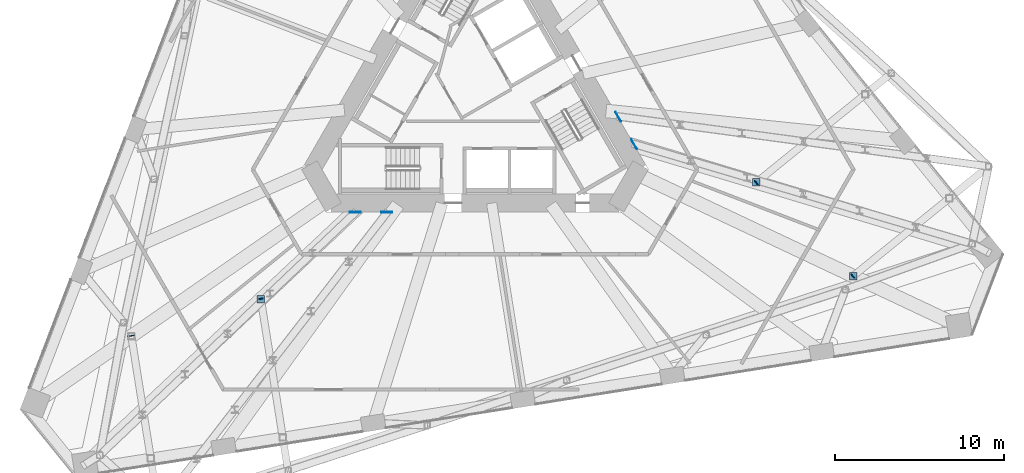
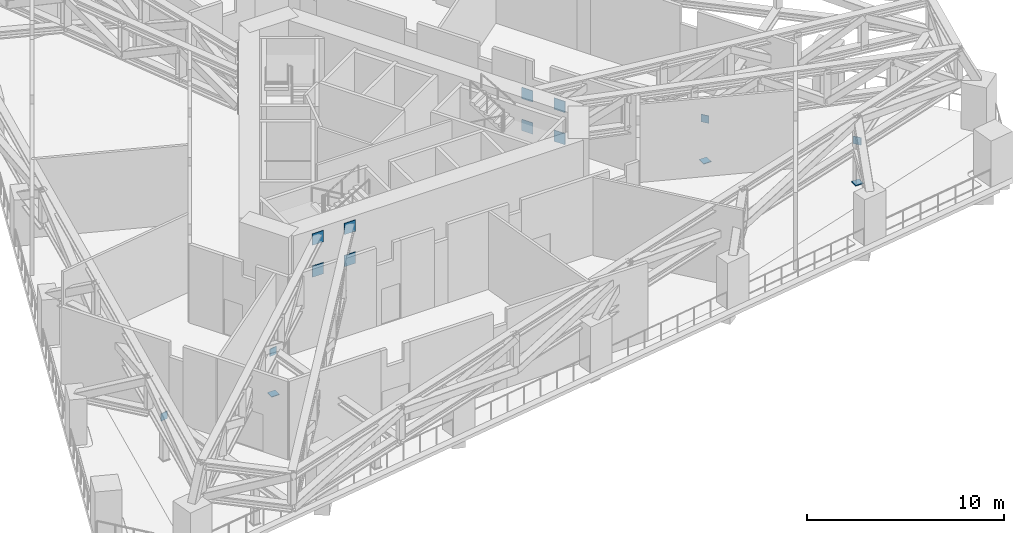
# One storey, part 14 of 20: 15 discrete accessories.
"""IFC4 building model written with IfcOpenShell, lengths in metres."""

from ifc_helpers import new_model, si_unit, direction, frame, origin, origin_2d, place, context, subcontext, project, spatial, rectangle, extrude, material, layer, layer_set, type_object, element, save


model = new_model("IFC4")

# Units and contexts
model_context = context("Model", 3, precision=1e-05, world=origin(), true_north=direction((0.0, 1.0)))
body_context = subcontext(model_context, "Body", "Model", "MODEL_VIEW")
ifc_project = project(units=[si_unit("LENGTHUNIT", "METRE"), si_unit("AREAUNIT", "SQUARE_METRE"), si_unit("VOLUMEUNIT", "CUBIC_METRE"), si_unit("PLANEANGLEUNIT", "RADIAN"), si_unit("MASSUNIT", "GRAM", prefix="KILO")], contexts=[model_context])

# Site, building, storey
site_placement = place(None, origin())
site = spatial("IfcSite", under=ifc_project, at=site_placement, CompositionType="ELEMENT")
building_placement = place(site_placement, origin())
building = spatial("IfcBuilding", under=site, at=building_placement, Name="Tramontana Tower", CompositionType="ELEMENT")
storey_placement = place(building_placement, frame((0.0, 0.0, 83.199951171875)))
storey = spatial("IfcBuildingStorey", under=building, at=storey_placement, Name="L18", CompositionType="ELEMENT", Elevation=83.199951171875)

# Discrete accessories
ifc_material_1 = material(Name="Steel ASTM A572 Grade 50", Category="steel")
ifc_layer_1 = layer(ifc_material_1, 0.0400390625)
ifc_layer_set_1 = layer_set([ifc_layer_1], Name="Base plate 450X450X40")
discrete_accessory_type_1 = type_object("IfcDiscreteAccessoryType", Name="Base plate 450X450X40", PredefinedType="ANCHORPLATE", material=ifc_layer_set_1)
for number, where, z_axis, x_axis, name in (
    (1, (-12.655517578125, -11.903564453125, 0.0), (0.0, 0.0, 1.0), (1.0, 0.0, 0.0), "Transfer truss post base plate C2F06.2"),
    (2, (16.636474609375, -5.00830078125, 0.0), (0.0, 0.0, 1.0), (1.0, 0.0, 0.0), "Transfer truss post base plate C2F11.2"),
    (3, (22.357666015625, -10.54248046875, 0.0), (0.0, 0.0, 1.0), (1.0, 0.0, 0.0), "Transfer truss post base plate C2K5.2"),
):
    element("IfcDiscreteAccessory", number, at=place(storey_placement, frame(where, z_axis=z_axis, x_axis=x_axis)), inside=storey, type_object=discrete_accessory_type_1, Name=name, PredefinedType="ANCHORPLATE", context=body_context, shape_type="SweptSolid", body=[
        extrude(rectangle(XDim=0.449951171875, YDim=0.449951171875, at=origin_2d()), origin(), (0.0, 0.0, 1.0), 0.0400390625),
    ])
ifc_material_2 = material(Name="Steel ASTM A572 Grade 50", Category="steel")
ifc_layer_2 = layer(ifc_material_2, 0.0400390625)
ifc_layer_set_2 = layer_set([ifc_layer_2], Name="Cast-in plate 650X700X40")
discrete_accessory_type_2 = type_object("IfcDiscreteAccessoryType", Name="Cast-in plate 650X700X40", PredefinedType="ANCHORPLATE", material=ifc_layer_set_2)
for number, where, z_axis, x_axis, name in (
    (4, (-7.084228515625, -6.77001953125, 2.28173828125), (0.0, 0.0, 1.0), (1.0, 0.0, 0.0), "Cast-in plate Transfer truss 1 bottom chord"),
    (5, (-7.084228515625, -6.77001953125, 4.26806640625), (0.0, 0.0, 1.0), (1.0, 0.0, 0.0), "Cast-in plate Transfer truss 1 top chord"),
    (6, (-5.201171875, -6.77001953125, 2.28173828125), (0.0, 0.0, 1.0), (1.0, 0.0, 0.0), "Cast-in plate Transfer truss 2 bottom chord"),
    (7, (-5.201171875, -6.77001953125, 4.26806640625), (0.0, 0.0, 1.0), (1.0, 0.0, 0.0), "Cast-in plate Transfer truss 2 top chord"),
    (8, (9.4052734375, -2.750244140625, 2.28173828125), (0.0, 0.0, 1.0), (-0.5, 0.866025403784, 0.0), "Cast-in plate Transfer truss 3 bottom chord"),
    (9, (9.4052734375, -2.750244140625, 4.26806640625), (0.0, 0.0, 1.0), (-0.5, 0.866025403784, 0.0), "Cast-in plate Transfer truss 3 top chord"),
    (10, (8.463623046875, -1.119384765625, 2.28173828125), (0.0, 0.0, 1.0), (-0.5, 0.866025403784, 0.0), "Cast-in plate Transfer truss 4 bottom chord"),
    (11, (8.463623046875, -1.119384765625, 4.26806640625), (0.0, 0.0, 1.0), (-0.5, 0.866025403784, 0.0), "Cast-in plate Transfer truss 4 top chord"),
):
    element("IfcDiscreteAccessory", number, at=place(storey_placement, frame(where, z_axis=z_axis, x_axis=x_axis)), inside=storey, type_object=discrete_accessory_type_2, Name=name, PredefinedType="ANCHORPLATE", context=body_context, shape_type="SweptSolid", body=[
        extrude(rectangle(XDim=0.64990234375, YDim=0.0400390625, at=origin_2d()), origin(), (0.0, 0.0, 1.0), 0.699951171875),
    ])
ifc_material_3 = material(Name="Steel ASTM A572 Grade 50", Category="steel")
ifc_layer_3 = layer(ifc_material_3, 0.0400390625)
ifc_layer_set_3 = layer_set([ifc_layer_3], Name="End plate 422X464X40")
discrete_accessory_type_3 = type_object("IfcDiscreteAccessoryType", Name="End plate 422X464X40", PredefinedType="ANCHORPLATE", material=ifc_layer_set_3)
for number, where, z_axis, x_axis, name in (
    (12, (-12.65869140625, -11.8837890625, 2.39990234375), (0.0, 0.0, 1.0), (0.987688340595, 0.15643446504, 0.0), "Transfer truss girder end plate C2F06.2"),
    (13, (16.620849609375, -5.02099609375, 2.39990234375), (0.0, 0.0, 1.0), (-0.62932039105, 0.777145961457, 0.0), "Transfer truss girder end plate C2F11.2"),
    (14, (-20.31201171875, -14.0712890625, 2.39990234375), (0.0, 0.0, 1.0), (0.987688340595, 0.15643446504, 0.0), "Transfer truss girder end plate C2K3.2"),
    (15, (22.342041015625, -10.55517578125, 2.39990234375), (0.0, 0.0, 1.0), (-0.62932039105, 0.777145961457, 0.0), "Transfer truss girder end plate C2K5.2"),
):
    element("IfcDiscreteAccessory", number, at=place(storey_placement, frame(where, z_axis=z_axis, x_axis=x_axis)), inside=storey, type_object=discrete_accessory_type_3, Name=name, PredefinedType="ANCHORPLATE", context=body_context, shape_type="SweptSolid", body=[
        extrude(rectangle(XDim=0.42236328125, YDim=0.0400390625, at=origin_2d()), origin(), (0.0, 0.0, 1.0), 0.463623046875),
    ])

save(model, "model.ifc")
